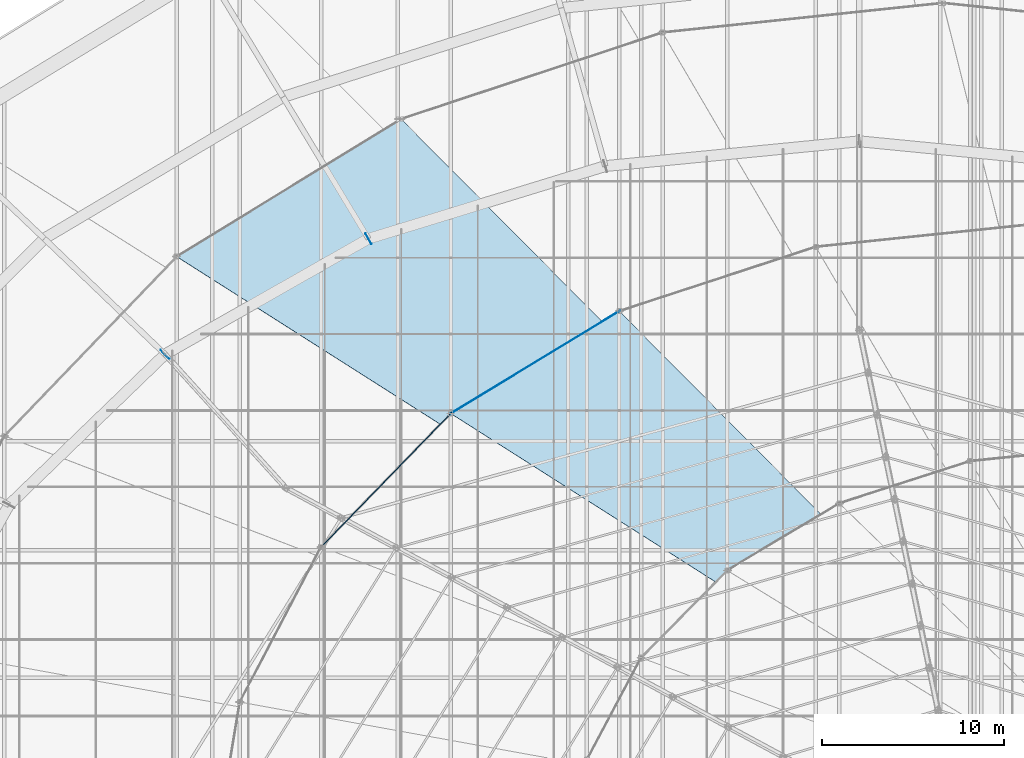
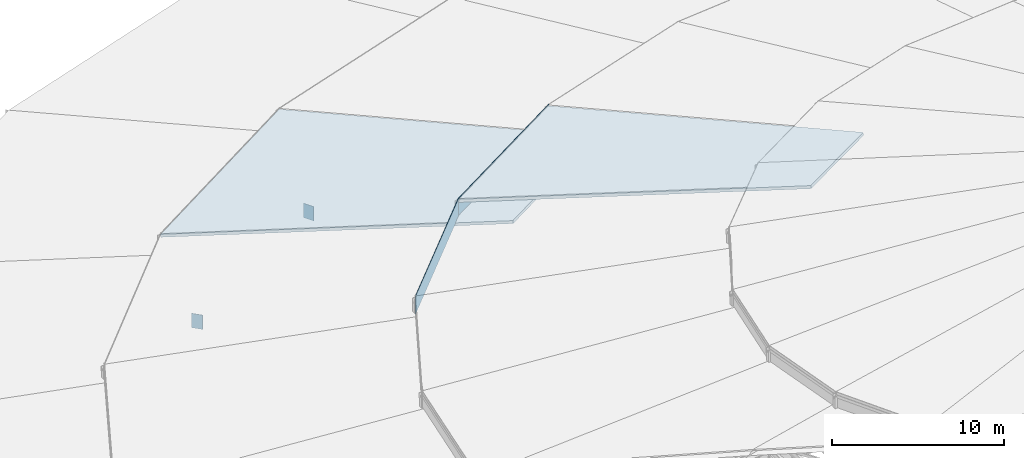
# One storey, part 148 of 184: 4 plates, 2 slabs.
"""IFC4 building model written with IfcOpenShell, lengths in metres."""

from ifc_helpers import new_model, si_unit, direction, frame, origin, origin_2d, place, context, subcontext, project, spatial, polyline, rectangle, outline, extrude, material, layer, layer_set, type_object, element, save


model = new_model("IFC4")

# Units and contexts
model_context = context("Model", 3, precision=1e-05, world=origin(), true_north=direction((0.0, 1.0)))
body_context = subcontext(model_context, "Body", "Model", "MODEL_VIEW")
ifc_project = project(units=[si_unit("LENGTHUNIT", "METRE"), si_unit("AREAUNIT", "SQUARE_METRE"), si_unit("VOLUMEUNIT", "CUBIC_METRE"), si_unit("PLANEANGLEUNIT", "RADIAN"), si_unit("MASSUNIT", "GRAM", prefix="KILO")], contexts=[model_context])

# Site, building, storey
site_placement = place(None, origin())
site = spatial("IfcSite", under=ifc_project, at=site_placement, CompositionType="ELEMENT")
building_placement = place(site_placement, origin())
building = spatial("IfcBuilding", under=site, at=building_placement, Name="Kalgoora Escarpment Arena", CompositionType="ELEMENT")
storey_placement = place(building_placement, frame((0.0, 0.0, 27.60009765625)))
storey = spatial("IfcBuildingStorey", under=building, at=storey_placement, Name="Roof Level", CompositionType="ELEMENT", Elevation=27.60009765625)

# Plates
ifc_material_1 = material(Name="Low-E double-glazed petal clerestory glass", Category="glass")
ifc_layer_1 = layer(ifc_material_1, 0.035888671875)
ifc_layer_set_1 = layer_set([ifc_layer_1], Name="PLT-PETAL-CLERESTORY")
plate_type_1 = type_object("IfcPlateType", Name="PLT-PETAL-CLERESTORY", PredefinedType="USERDEFINED", material=ifc_layer_set_1)
plate_1_placement = place(storey_placement, frame((74.560791015625, 91.844482421875, 2.7099609375), z_axis=(0.0, 0.0, 1.0), x_axis=(-0.855092904614, -0.518474806022, 0.0)))
element("IfcPlate", 1, at=plate_1_placement, inside=storey, type_object=plate_type_1, Name="Petal RP3 glazed clerestory collar panel S09", ObjectType="CLERESTORY PANEL", PredefinedType="USERDEFINED", context=body_context, shape_type="SweptSolid", body=[
    extrude(rectangle(XDim=11.013427734375, YDim=0.0400390625, at=origin_2d()), origin(), (0.0, 0.0, 1.0), 1.25),
])
plate_2_placement = place(storey_placement, frame((66.36181640625, 85.36572265625, 2.7099609375), z_axis=(0.0, 0.0, 1.0), x_axis=(-0.696664434978, -0.717397145963, 0.0)))
element("IfcPlate", 2, at=plate_2_placement, inside=storey, type_object=plate_type_1, Name="Petal RP3 glazed clerestory collar panel S10", ObjectType="CLERESTORY PANEL", PredefinedType="USERDEFINED", context=body_context, shape_type="SweptSolid", body=[
    extrude(rectangle(XDim=10.372802734375, YDim=0.0400390625, at=origin_2d()), origin(), (0.0, 0.0, 1.0), 1.25),
])
ifc_material_2 = material(Name="Structural steel Grade 350 (350 MPa)", Category="steel")
ifc_layer_2 = layer(ifc_material_2, 0.031982421875)
ifc_layer_set_2 = layer_set([ifc_layer_2], Name="PLT-RING-DIAPH")
plate_type_2 = type_object("IfcPlateType", Name="PLT-RING-DIAPH", PredefinedType="USERDEFINED", material=ifc_layer_set_2)
for number, where, z_axis, x_axis, name in (
    (3, (65.39990234375, 98.64111328125, -1.760009765625), (0.0, 0.0, 1.0), (-0.869408707144, -0.494093614554, 0.0), "Inner ring node diaphragm plate 09"),
    (4, (54.21630859375, 92.2841796875, -1.760009765625), (0.0, 0.0, 1.0), (-0.719461030139, -0.6945328114, 0.0), "Inner ring node diaphragm plate 10"),
):
    element("IfcPlate", number, at=place(storey_placement, frame(where, z_axis=z_axis, x_axis=x_axis)), inside=storey, type_object=plate_type_2, Name=name, ObjectType="FLANGE PLATE", PredefinedType="USERDEFINED", context=body_context, shape_type="SweptSolid", body=[
        extrude(rectangle(XDim=0.031982421875, YDim=0.679931640625, at=origin_2d()), origin(), (0.0, 0.0, 1.0), 1.02001953125),
    ])

# Slabs
ifc_material_3 = material(Name="White acoustic composite Concrete N40 (fc' 40 MPa)", Category="concrete")
ifc_layer_3 = layer(ifc_material_3, 0.205078125)
ifc_layer_set_3 = layer_set([ifc_layer_3], Name="SLB-PETAL-RP2")
slab_type_1 = type_object("IfcSlabType", Name="SLB-PETAL-RP2", PredefinedType="ROOF", material=ifc_layer_set_3)
slab_1_placement = place(storey_placement, frame((67.199951171875, 105.222900390625, 1.449951171875), z_axis=(-0.044954996871, 0.073362807239, 0.99629159726), x_axis=(-0.852622297966, -0.522527718873, 4.484209e-06)))
element("IfcSlab", 5, at=slab_1_placement, inside=storey, type_object=slab_type_1, Name="Shifted white roof petal RP2 sector 09", PredefinedType="ROOF", context=body_context, shape_type="SweptSolid", body=[
    extrude(outline(polyline([(0.0, 0.0), (14.477112336952196, 8.881784197001252e-16), (5.452289468417201, 18.537049833219257), (-4.374436479091179, 18.59506631540488), (0.0, 0.0)])), origin(), (0.0, 0.0, -1.0), 0.205078125),
])
ifc_material_4 = material(Name="White acoustic composite Concrete N40 (fc' 40 MPa)", Category="concrete")
ifc_layer_4 = layer(ifc_material_4, 0.215087890625)
ifc_layer_set_4 = layer_set([ifc_layer_4], Name="SLB-PETAL-RP3")
slab_type_2 = type_object("IfcSlabType", Name="SLB-PETAL-RP3", PredefinedType="ROOF", material=ifc_layer_set_4)
slab_2_placement = place(storey_placement, frame((79.199951171875, 94.6572265625, 3.89990234375), z_axis=(-0.044668679209, 0.073651155094, 0.996283200928), x_axis=(-0.855094915772, -0.518471489015, -9.973506e-06)))
element("IfcSlab", 6, at=slab_2_placement, inside=storey, type_object=slab_type_2, Name="Shifted white roof petal RP3 sector 09", PredefinedType="ROOF", context=body_context, shape_type="SweptSolid", body=[
    extrude(outline(polyline([(0.0, 0.0), (10.850626391692177, 8.881784197001252e-16), (1.7381496945607924, 18.49394998978744), (-4.462417507870443, 18.574170156426536), (0.0, 0.0)])), origin(), (0.0, 0.0, -1.0), 0.215087890625),
])

save(model, "model.ifc")
